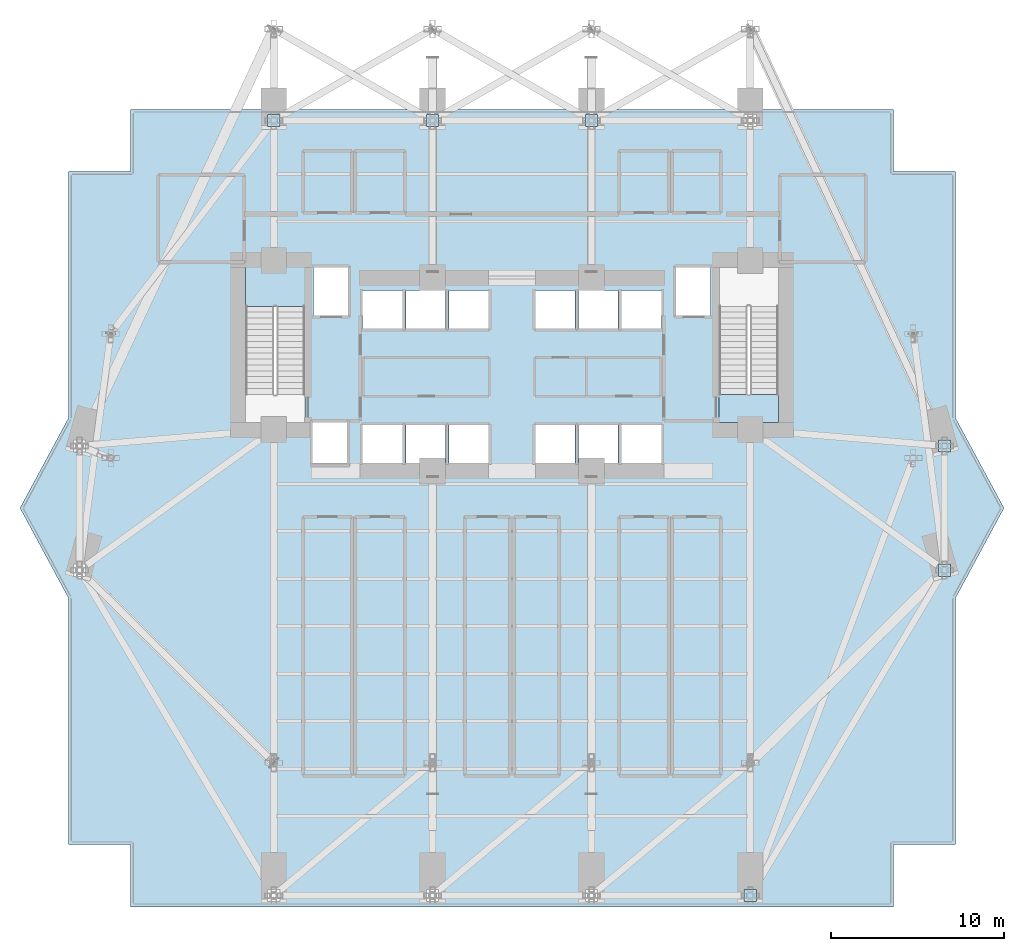
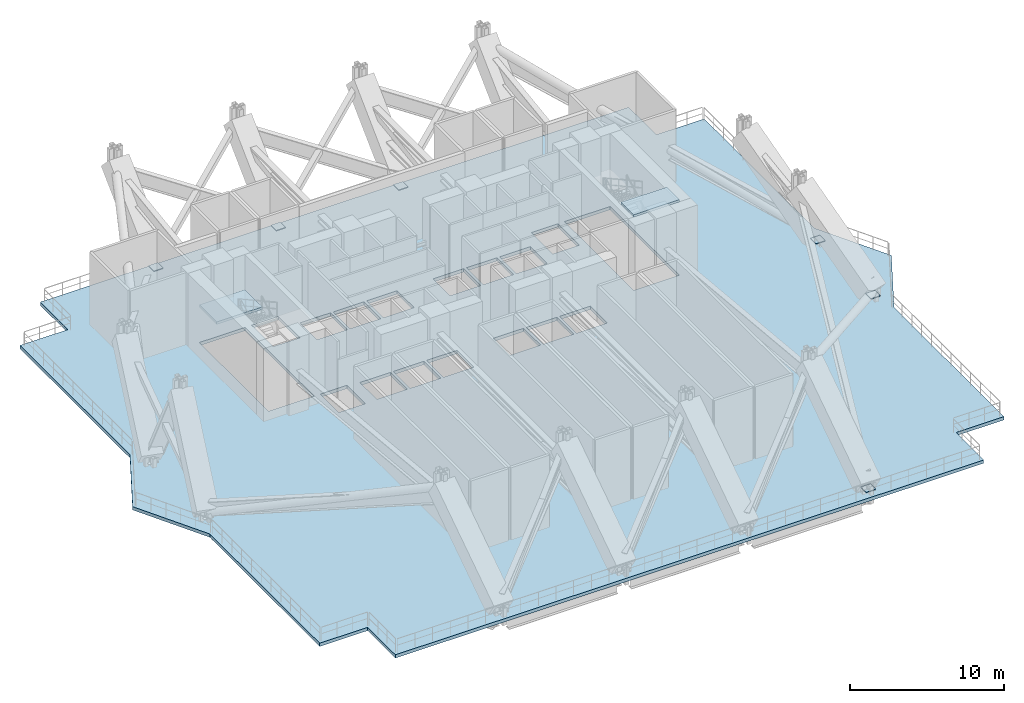
# One storey, part 8 of 21: 6 plates, 3 slabs, 2 elements without a shape of their own.
"""IFC4 building model written with IfcOpenShell, lengths in metres."""

from ifc_helpers import new_model, si_unit, direction, frame, origin, origin_2d, place, context, subcontext, project, spatial, polyline, rectangle, outline, extrude, material, layer, layer_set, type_object, element, aggregate, save


model = new_model("IFC4")

# Units and contexts
model_context = context("Model", 3, precision=1e-05, world=origin(), true_north=direction((0.0, 1.0)))
body_context = subcontext(model_context, "Body", "Model", "MODEL_VIEW")
ifc_project = project(units=[si_unit("LENGTHUNIT", "METRE"), si_unit("AREAUNIT", "SQUARE_METRE"), si_unit("VOLUMEUNIT", "CUBIC_METRE"), si_unit("PLANEANGLEUNIT", "RADIAN"), si_unit("MASSUNIT", "GRAM", prefix="KILO")], contexts=[model_context])

# Site, building, storey
site_placement = place(None, origin())
site = spatial("IfcSite", under=ifc_project, at=site_placement, CompositionType="ELEMENT")
building_placement = place(site_placement, origin())
building = spatial("IfcBuilding", under=site, at=building_placement, Name="Zuhayl Quay Hotel", CompositionType="ELEMENT")
storey_placement = place(building_placement, frame((0.0, 0.0, 89.64990234375)))
storey = spatial("IfcBuildingStorey", under=building, at=storey_placement, Name="L22", CompositionType="ELEMENT", Elevation=89.64990234375)

# Slab
ifc_material_1 = material(Name="Concrete C45/55", Category="concrete")
ifc_layer_1 = layer(ifc_material_1, 0.260009765625, Name="Concrete C45/55", Category="concrete")
ifc_layer_set_1 = layer_set([ifc_layer_1], Name="Concrete C45/55")
slab_type_1 = type_object("IfcSlabType", Name="SL_FLOOR_260", PredefinedType="FLOOR", material=ifc_layer_set_1)
slab_1_placement = place(storey_placement, frame((0.0, 0.0, -0.260009765625)))
element("IfcSlab", 1, at=slab_1_placement, inside=storey, type_object=slab_type_1, Name="L22 Structural Floor Slab", PredefinedType="FLOOR", context=body_context, shape_type="SweptSolid", body=[
    extrude(outline(polyline([(-22.10009765625, -23.10009765625), (22.10009765625, -23.10009765625), (22.10009765625, -19.5), (25.699951171875, -19.5), (25.699951171875, -5.199951171875), (28.5, 0.0), (25.699951171875, 5.199951171875), (25.699951171875, 19.5), (22.10009765625, 19.5), (22.10009765625, 23.10009765625), (-22.10009765625, 23.10009765625), (-22.10009765625, 19.5), (-25.699951171875, 19.5), (-25.699951171875, 5.199951171875), (-28.5, 0.0), (-25.699951171875, -5.199951171875), (-25.699951171875, -19.5), (-22.10009765625, -19.5), (-22.10009765625, -23.10009765625)]), holes=[polyline([(-12.0, 4.949951171875), (-12.0, 13.949951171875), (-15.429931640625, 13.949951171875), (-15.429931640625, 4.949951171875), (-12.0, 4.949951171875)]), polyline([(15.429931640625, 4.949951171875), (15.429931640625, 13.949951171875), (12.0, 13.949951171875), (12.0, 4.949951171875), (15.429931640625, 4.949951171875)]), polyline([(-11.5, 11.14990234375), (-9.5, 11.14990234375), (-9.5, 13.949951171875), (-11.5, 13.949951171875), (-11.5, 11.14990234375)]), polyline([(9.5, 11.14990234375), (11.5, 11.14990234375), (11.5, 13.949951171875), (9.5, 13.949951171875), (9.5, 11.14990234375)]), polyline([(-8.64990234375, 2.60009765625), (-6.35009765625, 2.60009765625), (-6.35009765625, 4.800048828125), (-8.64990234375, 4.800048828125), (-8.64990234375, 2.60009765625)]), polyline([(-6.14990234375, 2.60009765625), (-3.85009765625, 2.60009765625), (-3.85009765625, 4.800048828125), (-6.14990234375, 4.800048828125), (-6.14990234375, 2.60009765625)]), polyline([(-8.64990234375, 10.39990234375), (-6.35009765625, 10.39990234375), (-6.35009765625, 12.60009765625), (-8.64990234375, 12.60009765625), (-8.64990234375, 10.39990234375)]), polyline([(-6.14990234375, 10.39990234375), (-3.85009765625, 10.39990234375), (-3.85009765625, 12.60009765625), (-6.14990234375, 12.60009765625), (-6.14990234375, 10.39990234375)]), polyline([(-3.64990234375, 2.60009765625), (-1.35009765625, 2.60009765625), (-1.35009765625, 4.800048828125), (-3.64990234375, 4.800048828125), (-3.64990234375, 2.60009765625)]), polyline([(1.35009765625, 2.60009765625), (3.64990234375, 2.60009765625), (3.64990234375, 4.800048828125), (1.35009765625, 4.800048828125), (1.35009765625, 2.60009765625)]), polyline([(-3.64990234375, 10.39990234375), (-1.35009765625, 10.39990234375), (-1.35009765625, 12.60009765625), (-3.64990234375, 12.60009765625), (-3.64990234375, 10.39990234375)]), polyline([(1.35009765625, 10.39990234375), (3.64990234375, 10.39990234375), (3.64990234375, 12.60009765625), (1.35009765625, 12.60009765625), (1.35009765625, 10.39990234375)]), polyline([(3.85009765625, 2.60009765625), (6.14990234375, 2.60009765625), (6.14990234375, 4.800048828125), (3.85009765625, 4.800048828125), (3.85009765625, 2.60009765625)]), polyline([(6.35009765625, 2.60009765625), (8.64990234375, 2.60009765625), (8.64990234375, 4.800048828125), (6.35009765625, 4.800048828125), (6.35009765625, 2.60009765625)]), polyline([(3.85009765625, 10.39990234375), (6.14990234375, 10.39990234375), (6.14990234375, 12.60009765625), (3.85009765625, 12.60009765625), (3.85009765625, 10.39990234375)]), polyline([(6.35009765625, 10.39990234375), (8.64990234375, 10.39990234375), (8.64990234375, 12.60009765625), (6.35009765625, 12.60009765625), (6.35009765625, 10.39990234375)]), polyline([(-11.550048828125, 2.550048828125), (-9.550048828125, 2.550048828125), (-9.550048828125, 4.949951171875), (-11.550048828125, 4.949951171875), (-11.550048828125, 2.550048828125)])]), origin(), (0.0, 0.0, 1.0), 0.260009765625),
])

# Stair, slab
stair_type = type_object("IfcStairType", Name="ST_DOGLEG_TOWER", PredefinedType="HALF_TURN_STAIR", material=ifc_material_1)
stair_1_placement = place(storey_placement, origin())
stair_1 = element("IfcStair", 2, at=stair_1_placement, inside=storey, type_object=stair_type, Name="L22 Smokeproof Exit Stair ST1", PredefinedType="HALF_TURN_STAIR")
ifc_layer_2 = layer(ifc_material_1, 0.199951171875, Name="Concrete C45/55", Category="concrete")
ifc_layer_set_2 = layer_set([ifc_layer_2], Name="Concrete C45/55")
slab_type_2 = type_object("IfcSlabType", Name="SL_STAIR_LANDING_200", PredefinedType="LANDING", material=ifc_layer_set_2)
slab_2_placement = place(storey_placement, frame((0.0, 0.0, 2.800048828125)))
slab_2 = element("IfcSlab", 3, at=slab_2_placement, type_object=slab_type_2, Name="ST1 landing 1", PredefinedType="LANDING", context=body_context, shape_type="SweptSolid", body=[
    extrude(outline(polyline([(-12.0, 11.68994140625), (-12.0, 13.949951171875), (-15.429931640625, 13.949951171875), (-15.429931640625, 11.68994140625), (-12.0, 11.68994140625)])), origin(), (0.0, 0.0, 1.0), 0.199951171875),
])
aggregate(stair_1, [slab_2])

stair_2_placement = place(storey_placement, origin())
stair_2 = element("IfcStair", 4, at=stair_2_placement, inside=storey, type_object=stair_type, Name="L22 Smokeproof Exit Stair ST2", PredefinedType="HALF_TURN_STAIR")
slab_3_placement = place(storey_placement, frame((0.0, 0.0, 5.800048828125)))
slab_3 = element("IfcSlab", 5, at=slab_3_placement, type_object=slab_type_2, Name="ST2 landing 2", PredefinedType="LANDING", context=body_context, shape_type="SweptSolid", body=[
    extrude(outline(polyline([(15.429931640625, 4.949951171875), (15.429931640625, 6.590087890625), (12.0, 6.590087890625), (12.0, 4.949951171875), (15.429931640625, 4.949951171875)])), origin(), (0.0, 0.0, 1.0), 0.199951171875),
])
aggregate(stair_2, [slab_3])

# Plates
ifc_material_2 = material(Name="Steel ASTM A572 Grade 50", Category="steel")
ifc_layer_3 = layer(ifc_material_2, 0.0400390625, Name="Steel ASTM A572 Grade 50", Category="steel")
ifc_layer_set_3 = layer_set([ifc_layer_3], Name="Steel ASTM A572 Grade 50")
plate_type = type_object("IfcPlateType", Name="TP_CAP_PLATE_40", PredefinedType="USERDEFINED", material=ifc_layer_set_3)
for number, where, z_axis, x_axis, name in (
    (6, (13.800048828125, -22.449951171875, 0.24609375), (0.0, 0.0, 1.0), (1.0, 0.0, 0.0), "Truss Node Cap Assembly KN1"),
    (7, (-13.800048828125, 22.449951171875, 0.24609375), (0.0, 0.0, 1.0), (1.0, 0.0, 0.0), "Truss Node Cap Assembly KN1"),
    (8, (-4.60009765625, 22.449951171875, 0.24609375), (0.0, 0.0, 1.0), (1.0, 0.0, 0.0), "Truss Node Cap Assembly KN1"),
    (9, (4.60009765625, 22.449951171875, 0.24609375), (0.0, 0.0, 1.0), (1.0, 0.0, 0.0), "Truss Node Cap Assembly KN1"),
    (10, (25.050048828125, -3.60009765625, 0.24609375), (0.0, 0.0, 1.0), (1.0, 0.0, 0.0), "Truss Node Cap Assembly KN1"),
    (11, (25.050048828125, 3.60009765625, 0.24609375), (0.0, 0.0, 1.0), (1.0, 0.0, 0.0), "Truss Node Cap Assembly KN1"),
):
    element("IfcPlate", number, at=place(storey_placement, frame(where, z_axis=z_axis, x_axis=x_axis)), inside=storey, type_object=plate_type, Name=name, ObjectType="GUSSET PLATE", PredefinedType="USERDEFINED", context=body_context, shape_type="SweptSolid", body=[
        extrude(rectangle(XDim=0.708984375, YDim=0.708984375, at=origin_2d()), origin(), (0.0, 0.0, 1.0), 0.0400390625),
    ])

save(model, "model.ifc")
